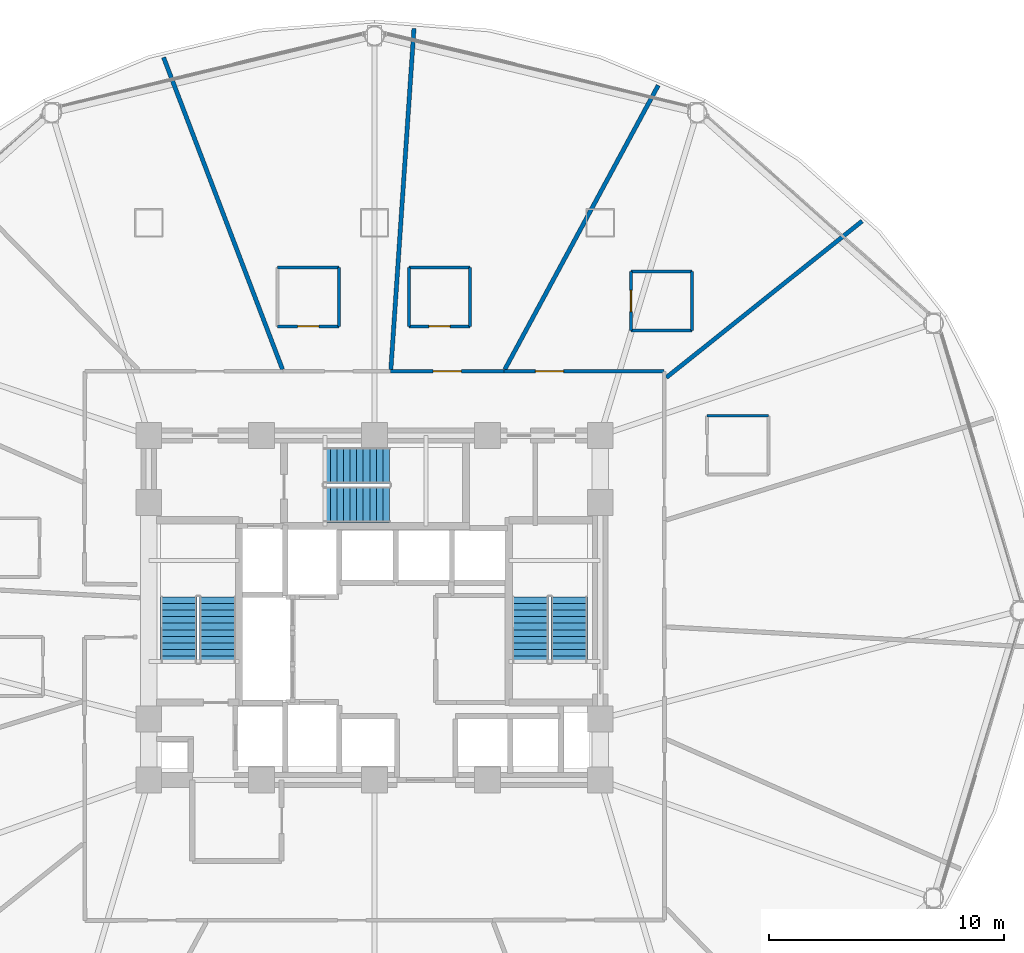
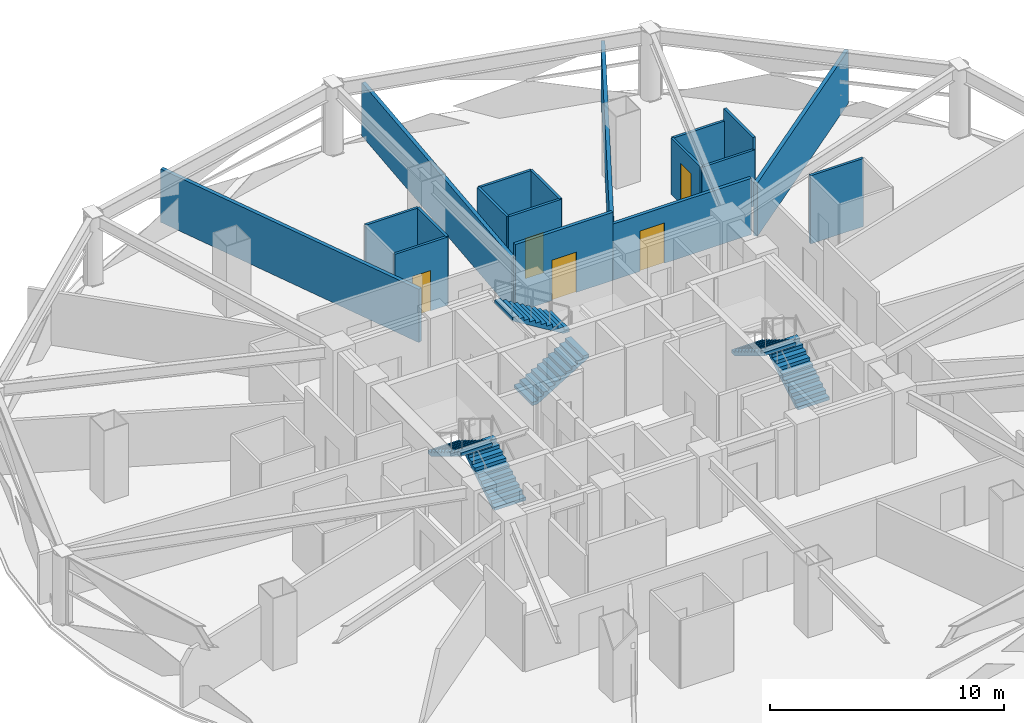
# One storey, part 24 of 29: 18 walls, 6 stair flights, 5 doors, 5 openings, 3 elements without a shape of their own.
"""IFC4 building model written with IfcOpenShell, lengths in metres."""

from ifc_helpers import new_model, si_unit, direction, frame, frame_2d, origin, place, context, subcontext, project, spatial, polyline, rectangle, outline, extrude, material, layer, layer_set, type_object, element, fill, aggregate, save


model = new_model("IFC4")

# Units and contexts
model_context = context("Model", 3, precision=1e-05, world=origin(), true_north=direction((0.0, 1.0)))
body_context = subcontext(model_context, "Body", "Model", "MODEL_VIEW")
ifc_project = project(units=[si_unit("LENGTHUNIT", "METRE"), si_unit("AREAUNIT", "SQUARE_METRE"), si_unit("VOLUMEUNIT", "CUBIC_METRE"), si_unit("PLANEANGLEUNIT", "RADIAN"), si_unit("MASSUNIT", "GRAM", prefix="KILO")], contexts=[model_context])

# Site, building, storey
site_placement = place(None, origin())
site = spatial("IfcSite", under=ifc_project, at=site_placement, CompositionType="ELEMENT")
building_placement = place(site_placement, origin())
building = spatial("IfcBuilding", under=site, at=building_placement, Name="Vantalir Tower", CompositionType="ELEMENT")
storey_placement = place(building_placement, frame((0.0, 0.0, 60.75)))
storey = spatial("IfcBuildingStorey", under=building, at=storey_placement, Name="L14", CompositionType="ELEMENT", Elevation=60.75)

# Walls
ifc_material_1 = material(Name="Moisture-resistant en-suite partition", Category="gypsum")
ifc_layer_1 = layer(ifc_material_1, 0.125)
ifc_layer_set_1 = layer_set([ifc_layer_1], Name="Moisture-resistant en-suite partition")
wall_type_1 = type_object("IfcWallType", Name="WL-BATH-125", PredefinedType="PARTITIONING", material=ifc_layer_set_1)
wall_1_placement = place(storey_placement, frame((45.64990234375, 33.29296875, 0.0), z_axis=(0.0, 0.0, 1.0), x_axis=(1.0, 0.0, 0.0)))
element("IfcWall", 1, at=wall_1_placement, inside=storey, type_object=wall_type_1, Name="L14 En-suite 01 North Wall", PredefinedType="PARTITIONING", context=body_context, shape_type="SweptSolid", body=[
    extrude(rectangle(XDim=2.60009765625, YDim=0.125, at=frame_2d((1.300048828125, 0.0))), origin(), (0.0, 0.0, 1.0), 3.550048828125),
])
for number, where, z_axis, x_axis, name in (
    (2, (42.406005859375, 36.926025390625, 0.0), (0.0, 0.0, 1.0), (1.0, 0.0, 0.0), "L14 En-suite 02 South Wall"),
    (3, (42.406005859375, 39.426025390625, 0.0), (0.0, 0.0, 1.0), (1.0, 0.0, 0.0), "L14 En-suite 02 North Wall"),
):
    element("IfcWall", number, at=place(storey_placement, frame(where, z_axis=z_axis, x_axis=x_axis)), inside=storey, type_object=wall_type_1, Name=name, PredefinedType="PARTITIONING", context=body_context, shape_type="SweptSolid", body=[
        extrude(rectangle(XDim=2.60009765625, YDim=0.125, at=frame_2d((1.300048828125, 0.0))), origin(), (0.0, 0.0, 1.0), 2.927978515625),
    ])

# Wall, opening, door
wall_2_placement = place(storey_placement, frame((42.406005859375, 36.926025390625, 0.0), z_axis=(0.0, 0.0, 1.0), x_axis=(0.0, 1.0, 0.0)))
wall_2 = element("IfcWall", 4, at=wall_2_placement, inside=storey, type_object=wall_type_1, Name="L14 En-suite 02 West Wall", PredefinedType="PARTITIONING", context=body_context, shape_type="SweptSolid", body=[
    extrude(rectangle(XDim=2.5, YDim=0.125, at=frame_2d((1.25, 0.0))), origin(), (0.0, 0.0, 1.0), 2.927978515625),
])
opening_1_placement = place(wall_2_placement, frame((0.800048828125, 0.0, 0.0)))
opening_1 = element("IfcOpeningElement", 5, at=opening_1_placement, cuts=wall_2, Name="Opening D-WC", PredefinedType="OPENING", context=body_context, shape_type="SweptSolid", body=[
    extrude(rectangle(XDim=0.89990234375, YDim=2.10009765625, at=frame_2d((0.449951171875, 1.050048828125))), frame((0.0, 0.072509765625, 0.0), z_axis=(0.0, -1.0, 0.0), x_axis=(1.0, 0.0, 0.0)), (0.0, 0.0, 1.0), 0.14501953125),
])
ifc_material_2 = material(Name="Moisture-resistant hardwood door", Category="wood")
door_type_1 = type_object("IfcDoorType", Name="DR-ENSUITE-900", OperationType="NOTDEFINED", PredefinedType="DOOR", material=ifc_material_2)
door_1_placement = place(opening_1_placement, frame((0.89990234375, 0.0, 0.0), z_axis=(0.0, 0.0, 1.0), x_axis=(-1.0, 0.0, 0.0)))
door_1 = element("IfcDoor", 6, at=door_1_placement, inside=storey, type_object=door_type_1, Name="L14 En-suite 02 Door", OperationType="SINGLE_SWING_LEFT", OverallHeight=2.10009765625, OverallWidth=0.89990234375, PredefinedType="DOOR", context=body_context, shape_type="SweptSolid", body=[
    extrude(rectangle(XDim=0.89990234375, YDim=2.10009765625, at=frame_2d((0.449951171875, 1.050048828125))), frame((0.0, 0.02490234375, 0.0), z_axis=(0.0, -1.0, 0.0), x_axis=(1.0, 0.0, 0.0)), (0.0, 0.0, 1.0), 0.050048828125),
])
fill(opening_1, door_1)

# Wall
wall_3_placement = place(storey_placement, frame((45.006103515625, 36.926025390625, 0.0), z_axis=(0.0, 0.0, 1.0), x_axis=(0.0, 1.0, 0.0)))
element("IfcWall", 7, at=wall_3_placement, inside=storey, type_object=wall_type_1, Name="L14 En-suite 02 East Wall", PredefinedType="PARTITIONING", context=body_context, shape_type="SweptSolid", body=[
    extrude(rectangle(XDim=2.5, YDim=0.125, at=frame_2d((1.25, 0.0))), origin(), (0.0, 0.0, 1.0), 3.550048828125),
])

# Wall, opening, door
wall_4_placement = place(storey_placement, frame((32.965087890625, 37.097900390625, 0.0), z_axis=(0.0, 0.0, 1.0), x_axis=(1.0, 0.0, 0.0)))
wall_4 = element("IfcWall", 8, at=wall_4_placement, inside=storey, type_object=wall_type_1, Name="L14 En-suite 03 South Wall", PredefinedType="PARTITIONING", context=body_context, shape_type="SweptSolid", body=[
    extrude(rectangle(XDim=2.599853515625, YDim=0.125, at=frame_2d((1.2998046875, 0.0))), origin(), (0.0, 0.0, 1.0), 3.550048828125),
])
opening_2_placement = place(wall_4_placement, frame((0.85009765625, 0.0, 0.0)))
opening_2 = element("IfcOpeningElement", 9, at=opening_2_placement, cuts=wall_4, Name="Opening D-WC", PredefinedType="OPENING", context=body_context, shape_type="SweptSolid", body=[
    extrude(rectangle(XDim=0.89990234375, YDim=2.10009765625, at=frame_2d((0.449951171875, 1.050048828125))), frame((0.0, 0.072509765625, 0.0), z_axis=(0.0, -1.0, 0.0), x_axis=(1.0, 0.0, 0.0)), (0.0, 0.0, 1.0), 0.14501953125),
])
door_2_placement = place(opening_2_placement, origin())
door_2 = element("IfcDoor", 10, at=door_2_placement, inside=storey, type_object=door_type_1, Name="L14 En-suite 03 Door", OperationType="SINGLE_SWING_RIGHT", OverallHeight=2.10009765625, OverallWidth=0.89990234375, PredefinedType="DOOR", context=body_context, shape_type="SweptSolid", body=[
    extrude(rectangle(XDim=0.89990234375, YDim=2.10009765625, at=frame_2d((0.449951171875, 1.050048828125))), frame((0.0, 0.02490234375, 0.0), z_axis=(0.0, -1.0, 0.0), x_axis=(1.0, 0.0, 0.0)), (0.0, 0.0, 1.0), 0.050048828125),
])
fill(opening_2, door_2)

# Walls
wall_5_placement = place(storey_placement, frame((32.965087890625, 39.597900390625, 0.0), z_axis=(0.0, 0.0, 1.0), x_axis=(1.0, 0.0, 0.0)))
element("IfcWall", 11, at=wall_5_placement, inside=storey, type_object=wall_type_1, Name="L14 En-suite 03 North Wall", PredefinedType="PARTITIONING", context=body_context, shape_type="SweptSolid", body=[
    extrude(rectangle(XDim=2.599853515625, YDim=0.125, at=frame_2d((1.2998046875, 0.0))), origin(), (0.0, 0.0, 1.0), 3.550048828125),
])
for number, where, z_axis, x_axis, name in (
    (12, (32.965087890625, 37.097900390625, 0.0), (0.0, 0.0, 1.0), (0.0, 1.0, 0.0), "L14 En-suite 03 West Wall"),
    (13, (35.56494140625, 37.097900390625, 0.0), (0.0, 0.0, 1.0), (0.0, 1.0, 0.0), "L14 En-suite 03 East Wall"),
):
    element("IfcWall", number, at=place(storey_placement, frame(where, z_axis=z_axis, x_axis=x_axis)), inside=storey, type_object=wall_type_1, Name=name, PredefinedType="PARTITIONING", context=body_context, shape_type="SweptSolid", body=[
        extrude(rectangle(XDim=2.5, YDim=0.125, at=frame_2d((1.25, 0.0))), origin(), (0.0, 0.0, 1.0), 3.550048828125),
    ])

# Wall, opening, door
wall_6_placement = place(storey_placement, frame((27.381103515625, 37.097900390625, 0.0), z_axis=(0.0, 0.0, 1.0), x_axis=(1.0, 0.0, 0.0)))
wall_6 = element("IfcWall", 14, at=wall_6_placement, inside=storey, type_object=wall_type_1, Name="L14 En-suite 04 South Wall", PredefinedType="PARTITIONING", context=body_context, shape_type="SweptSolid", body=[
    extrude(rectangle(XDim=2.599853515625, YDim=0.125, at=frame_2d((1.2998046875, 0.0))), origin(), (0.0, 0.0, 1.0), 3.550048828125),
])
opening_3_placement = place(wall_6_placement, frame((0.85009765625, 0.0, 0.0)))
opening_3 = element("IfcOpeningElement", 15, at=opening_3_placement, cuts=wall_6, Name="Opening D-WC", PredefinedType="OPENING", context=body_context, shape_type="SweptSolid", body=[
    extrude(rectangle(XDim=0.89990234375, YDim=2.10009765625, at=frame_2d((0.449951171875, 1.050048828125))), frame((0.0, 0.072509765625, 0.0), z_axis=(0.0, -1.0, 0.0), x_axis=(1.0, 0.0, 0.0)), (0.0, 0.0, 1.0), 0.14501953125),
])
door_3_placement = place(opening_3_placement, origin())
door_3 = element("IfcDoor", 16, at=door_3_placement, inside=storey, type_object=door_type_1, Name="L14 En-suite 04 Door", OperationType="SINGLE_SWING_LEFT", OverallHeight=2.10009765625, OverallWidth=0.89990234375, PredefinedType="DOOR", context=body_context, shape_type="SweptSolid", body=[
    extrude(rectangle(XDim=0.89990234375, YDim=2.10009765625, at=frame_2d((0.449951171875, 1.050048828125))), frame((0.0, 0.02490234375, 0.0), z_axis=(0.0, -1.0, 0.0), x_axis=(1.0, 0.0, 0.0)), (0.0, 0.0, 1.0), 0.050048828125),
])
fill(opening_3, door_3)

# Walls
wall_7_placement = place(storey_placement, frame((27.381103515625, 39.597900390625, 0.0), z_axis=(0.0, 0.0, 1.0), x_axis=(1.0, 0.0, 0.0)))
element("IfcWall", 17, at=wall_7_placement, inside=storey, type_object=wall_type_1, Name="L14 En-suite 04 North Wall", PredefinedType="PARTITIONING", context=body_context, shape_type="SweptSolid", body=[
    extrude(rectangle(XDim=2.599853515625, YDim=0.125, at=frame_2d((1.2998046875, 0.0))), origin(), (0.0, 0.0, 1.0), 3.550048828125),
])
wall_8_placement = place(storey_placement, frame((29.98095703125, 37.097900390625, 0.0), z_axis=(0.0, 0.0, 1.0), x_axis=(0.0, 1.0, 0.0)))
element("IfcWall", 18, at=wall_8_placement, inside=storey, type_object=wall_type_1, Name="L14 En-suite 04 East Wall", PredefinedType="PARTITIONING", context=body_context, shape_type="SweptSolid", body=[
    extrude(rectangle(XDim=2.5, YDim=0.125, at=frame_2d((1.25, 0.0))), origin(), (0.0, 0.0, 1.0), 3.550048828125),
])

# Wall, opening, door
ifc_material_3 = material(Name="Fire-rated hotel corridor acoustic partition", Category="gypsum")
ifc_layer_2 = layer(ifc_material_3, 0.159912109375)
ifc_layer_set_2 = layer_set([ifc_layer_2], Name="Fire-rated hotel corridor acoustic partition")
wall_type_2 = type_object("IfcWallType", Name="WL-CORR-160", PredefinedType="PARTITIONING", material=ifc_layer_set_2)
wall_9_placement = place(storey_placement, frame((32.18994140625, 35.18505859375, 0.0), z_axis=(0.0, 0.0, 1.0), x_axis=(1.0, 0.0, 0.0)))
wall_9 = element("IfcWall", 19, at=wall_9_placement, inside=storey, type_object=wall_type_2, Name="L14 Corridor Partition 07", PredefinedType="PARTITIONING", context=body_context, shape_type="SweptSolid", body=[
    extrude(rectangle(XDim=4.81005859375, YDim=0.159912109375, at=frame_2d((2.405029296875, 0.0))), origin(), (0.0, 0.0, 1.0), 3.550048828125),
])
opening_4_placement = place(wall_9_placement, frame((1.804931640625, 0.0, 0.0)))
opening_4 = element("IfcOpeningElement", 20, at=opening_4_placement, cuts=wall_9, Name="Opening D-STE", PredefinedType="OPENING", context=body_context, shape_type="SweptSolid", body=[
    extrude(rectangle(XDim=1.199951171875, YDim=2.10009765625, at=frame_2d((0.60009765625, 1.050048828125))), frame((0.0, 0.08984375, 0.0), z_axis=(0.0, -1.0, 0.0), x_axis=(1.0, 0.0, 0.0)), (0.0, 0.0, 1.0), 0.179931640625),
])
ifc_material_4 = material(Name="Solid-core teak veneer suite entrance door", Category="wood")
door_type_2 = type_object("IfcDoorType", Name="DR-SUITE-ENTRY-1200", OperationType="NOTDEFINED", PredefinedType="DOOR", material=ifc_material_4)
door_4_placement = place(opening_4_placement, origin())
door_4 = element("IfcDoor", 21, at=door_4_placement, inside=storey, type_object=door_type_2, Name="L14 Executive Club Hotel Suite 03 Door", OperationType="SINGLE_SWING_RIGHT", OverallHeight=2.10009765625, OverallWidth=1.199951171875, PredefinedType="DOOR", context=body_context, shape_type="SweptSolid", body=[
    extrude(rectangle(XDim=1.199951171875, YDim=2.10009765625, at=frame_2d((0.60009765625, 1.050048828125))), frame((0.0, 0.02490234375, 0.0), z_axis=(0.0, -1.0, 0.0), x_axis=(1.0, 0.0, 0.0)), (0.0, 0.0, 1.0), 0.050048828125),
])
fill(opening_4, door_4)

wall_10_placement = place(storey_placement, frame((37.0, 35.18505859375, 0.0), z_axis=(0.0, 0.0, 1.0), x_axis=(1.0, 0.0, 0.0)))
wall_10 = element("IfcWall", 22, at=wall_10_placement, inside=storey, type_object=wall_type_2, Name="L14 Corridor Partition 08", PredefinedType="PARTITIONING", context=body_context, shape_type="SweptSolid", body=[
    extrude(rectangle(XDim=6.819091796875, YDim=0.159912109375, at=frame_2d((3.40966796875, 0.0))), origin(), (0.0, 0.0, 1.0), 2.927978515625),
])
opening_5_placement = place(wall_10_placement, frame((1.337890625, 0.0, 0.0)))
opening_5 = element("IfcOpeningElement", 23, at=opening_5_placement, cuts=wall_10, Name="Opening D-STE", PredefinedType="OPENING", context=body_context, shape_type="SweptSolid", body=[
    extrude(rectangle(XDim=1.199951171875, YDim=2.10009765625, at=frame_2d((0.60009765625, 1.050048828125))), frame((0.0, 0.08984375, 0.0), z_axis=(0.0, -1.0, 0.0), x_axis=(1.0, 0.0, 0.0)), (0.0, 0.0, 1.0), 0.179931640625),
])
door_5_placement = place(opening_5_placement, origin())
door_5 = element("IfcDoor", 24, at=door_5_placement, inside=storey, type_object=door_type_2, Name="L14 Executive Club Hotel Suite 02 Door", OperationType="SINGLE_SWING_LEFT", OverallHeight=2.10009765625, OverallWidth=1.199951171875, PredefinedType="DOOR", context=body_context, shape_type="SweptSolid", body=[
    extrude(rectangle(XDim=1.199951171875, YDim=2.10009765625, at=frame_2d((0.60009765625, 1.050048828125))), frame((0.0, 0.02490234375, 0.0), z_axis=(0.0, -1.0, 0.0), x_axis=(1.0, 0.0, 0.0)), (0.0, 0.0, 1.0), 0.050048828125),
])
fill(opening_5, door_5)

# Walls
ifc_material_5 = material(Name="Twin-stud acoustic fire-rated gypsum partition", Category="gypsum")
ifc_layer_3 = layer(ifc_material_5, 0.179931640625)
ifc_layer_set_3 = layer_set([ifc_layer_3], Name="Twin-stud acoustic fire-rated gypsum partition")
wall_type_3 = type_object("IfcWallType", Name="WL-GUEST-180", PredefinedType="PARTITIONING", material=ifc_layer_set_3)
wall_11_placement = place(storey_placement, frame((43.9150390625, 34.9208984375, 0.0), z_axis=(0.0, 0.0, 1.0), x_axis=(0.781201807071, 0.624278572938, 0.0)))
element("IfcWall", 25, at=wall_11_placement, inside=storey, type_object=wall_type_3, Name="L14 Radial Suite Partition 02", PredefinedType="PARTITIONING", context=body_context, shape_type="SweptSolid", body=[
    extrude(rectangle(XDim=10.654052734375, YDim=0.179931640625, at=frame_2d((5.3271484375, 0.0))), origin(), (0.0, 0.0, 1.0), 2.77490234375),
])
wall_12_placement = place(storey_placement, frame((37.04296875, 35.264892578125, 0.0), z_axis=(0.0, 0.0, 1.0), x_axis=(0.475167084094, 0.879895585961, 0.0)))
element("IfcWall", 26, at=wall_12_placement, inside=storey, type_object=wall_type_3, Name="L14 Radial Suite Partition 03", PredefinedType="PARTITIONING", context=body_context, shape_type="SweptSolid", body=[
    extrude(rectangle(XDim=13.732421875, YDim=0.179931640625, at=frame_2d((6.8662109375, 0.0))), origin(), (0.0, 0.0, 1.0), 2.77490234375),
])
wall_13_placement = place(storey_placement, frame((32.195068359375, 35.264892578125, 0.0), z_axis=(0.0, 0.0, 1.0), x_axis=(0.06760790372, 0.997711968132, 0.0)))
element("IfcWall", 27, at=wall_13_placement, inside=storey, type_object=wall_type_3, Name="L14 Radial Suite Partition 04", PredefinedType="PARTITIONING", context=body_context, shape_type="SweptSolid", body=[
    extrude(rectangle(XDim=14.538330078125, YDim=0.179931640625, at=frame_2d((7.26904296875, 0.0))), origin(), (0.0, 0.0, 1.0), 2.77490234375),
])
wall_14_placement = place(storey_placement, frame((27.5869140625, 35.264892578125, 0.0), z_axis=(0.0, 0.0, 1.0), x_axis=(-0.356216214418, 0.93440355767, 0.0)))
element("IfcWall", 28, at=wall_14_placement, inside=storey, type_object=wall_type_3, Name="L14 Radial Suite Partition 05", PredefinedType="PARTITIONING", context=body_context, shape_type="SweptSolid", body=[
    extrude(rectangle(XDim=14.20166015625, YDim=0.179931640625, at=frame_2d((7.100830078125, 0.0))), origin(), (0.0, 0.0, 1.0), 2.77490234375),
])

# Stair, stair flights
ifc_material_6 = material(Name="Concrete C40/50", Category="concrete")
stair_type = type_object("IfcStairType", Name="STR-CORE-1450", PredefinedType="HALF_TURN_STAIR", material=ifc_material_6)
stair_1_placement = place(storey_placement, origin())
stair_1 = element("IfcStair", 29, at=stair_1_placement, inside=storey, type_object=stair_type, Name="L14 Core Exit Stair 1", PredefinedType="HALF_TURN_STAIR")
stair_flight_type = type_object("IfcStairFlightType", Name="FLT-CORE-1450", PredefinedType="STRAIGHT", material=ifc_material_6)
stair_flight_1_placement = place(storey_placement, frame((24.830078125, 22.7900390625, 0.0), z_axis=(0.0, 0.0, 1.0), x_axis=(0.0, 1.0, 0.0)))
stair_flight_1 = element("IfcStairFlight", 30, at=stair_flight_1_placement, type_object=stair_flight_type, Name="ST1 flight 1", NumberOfRisers=11, NumberOfTreads=10, PredefinedType="STRAIGHT", RiserHeight=0.170454545, TreadLength=0.28, context=body_context, shape_type="SweptSolid", body=[
    extrude(outline(polyline([(0.0, 0.0), (0.0, 0.17041015625), (0.280029296875, 0.17041015625), (0.280029296875, 0.3408203125), (0.56005859375, 0.3408203125), (0.56005859375, 0.511474609375), (0.840087890625, 0.511474609375), (0.840087890625, 0.681884765625), (1.1201171875, 0.681884765625), (1.1201171875, 0.852294921875), (1.39990234375, 0.852294921875), (1.39990234375, 1.022705078125), (1.679931640625, 1.022705078125), (1.679931640625, 1.193115234375), (1.9599609375, 1.193115234375), (1.9599609375, 1.363525390625), (2.239990234375, 1.363525390625), (2.239990234375, 1.5341796875), (2.52001953125, 1.5341796875), (2.52001953125, 1.70458984375), (2.800048828125, 1.70458984375), (2.800048828125, 1.875), (2.800048828125, 1.529052734375), (0.288330078125, 0.0), (0.0, 0.0)])), frame((0.0, 0.77001953125, 0.0), z_axis=(0.0, -1.0, 0.0), x_axis=(1.0, 0.0, 0.0)), (0.0, 0.0, 1.0), 1.5400390625),
])
stair_flight_2_placement = place(storey_placement, frame((23.169921875, 25.590087890625, 1.875), z_axis=(0.0, 0.0, 1.0), x_axis=(0.0, -1.0, 0.0)))
stair_flight_2 = element("IfcStairFlight", 31, at=stair_flight_2_placement, type_object=stair_flight_type, Name="ST1 flight 2", NumberOfRisers=11, NumberOfTreads=10, PredefinedType="STRAIGHT", RiserHeight=0.170454545, TreadLength=0.28, context=body_context, shape_type="SweptSolid", body=[
    extrude(outline(polyline([(0.0, 0.0), (0.0, 0.17041015625), (0.280029296875, 0.17041015625), (0.280029296875, 0.3408203125), (0.56005859375, 0.3408203125), (0.56005859375, 0.511474609375), (0.840087890625, 0.511474609375), (0.840087890625, 0.681884765625), (1.1201171875, 0.681884765625), (1.1201171875, 0.852294921875), (1.39990234375, 0.852294921875), (1.39990234375, 1.022705078125), (1.679931640625, 1.022705078125), (1.679931640625, 1.193115234375), (1.9599609375, 1.193115234375), (1.9599609375, 1.363525390625), (2.239990234375, 1.363525390625), (2.239990234375, 1.5341796875), (2.52001953125, 1.5341796875), (2.52001953125, 1.70458984375), (2.800048828125, 1.70458984375), (2.800048828125, 1.875), (2.800048828125, 1.529052734375), (0.288330078125, 0.0), (0.0, 0.0)])), frame((0.0, 0.77001953125, 0.0), z_axis=(0.0, -1.0, 0.0), x_axis=(1.0, 0.0, 0.0)), (0.0, 0.0, 1.0), 1.5400390625),
])
aggregate(stair_1, [stair_flight_1, stair_flight_2])

stair_2_placement = place(storey_placement, origin())
stair_2 = element("IfcStair", 32, at=stair_2_placement, inside=storey, type_object=stair_type, Name="L14 Core Exit Stair 2", PredefinedType="HALF_TURN_STAIR")
stair_flight_3_placement = place(storey_placement, frame((39.780029296875, 22.7900390625, 0.0), z_axis=(0.0, 0.0, 1.0), x_axis=(0.0, 1.0, 0.0)))
stair_flight_3 = element("IfcStairFlight", 33, at=stair_flight_3_placement, type_object=stair_flight_type, Name="ST2 flight 1", NumberOfRisers=11, NumberOfTreads=10, PredefinedType="STRAIGHT", RiserHeight=0.170454545, TreadLength=0.28, context=body_context, shape_type="SweptSolid", body=[
    extrude(outline(polyline([(0.0, 0.0), (0.0, 0.17041015625), (0.280029296875, 0.17041015625), (0.280029296875, 0.3408203125), (0.56005859375, 0.3408203125), (0.56005859375, 0.511474609375), (0.840087890625, 0.511474609375), (0.840087890625, 0.681884765625), (1.1201171875, 0.681884765625), (1.1201171875, 0.852294921875), (1.39990234375, 0.852294921875), (1.39990234375, 1.022705078125), (1.679931640625, 1.022705078125), (1.679931640625, 1.193115234375), (1.9599609375, 1.193115234375), (1.9599609375, 1.363525390625), (2.239990234375, 1.363525390625), (2.239990234375, 1.5341796875), (2.52001953125, 1.5341796875), (2.52001953125, 1.70458984375), (2.800048828125, 1.70458984375), (2.800048828125, 1.875), (2.800048828125, 1.529052734375), (0.288330078125, 0.0), (0.0, 0.0)])), frame((0.0, 0.77001953125, 0.0), z_axis=(0.0, -1.0, 0.0), x_axis=(1.0, 0.0, 0.0)), (0.0, 0.0, 1.0), 1.5400390625),
])
stair_flight_4_placement = place(storey_placement, frame((38.1201171875, 25.590087890625, 1.875), z_axis=(0.0, 0.0, 1.0), x_axis=(0.0, -1.0, 0.0)))
stair_flight_4 = element("IfcStairFlight", 34, at=stair_flight_4_placement, type_object=stair_flight_type, Name="ST2 flight 2", NumberOfRisers=11, NumberOfTreads=10, PredefinedType="STRAIGHT", RiserHeight=0.170454545, TreadLength=0.28, context=body_context, shape_type="SweptSolid", body=[
    extrude(outline(polyline([(0.0, 0.0), (0.0, 0.17041015625), (0.280029296875, 0.17041015625), (0.280029296875, 0.3408203125), (0.56005859375, 0.3408203125), (0.56005859375, 0.511474609375), (0.840087890625, 0.511474609375), (0.840087890625, 0.681884765625), (1.1201171875, 0.681884765625), (1.1201171875, 0.852294921875), (1.39990234375, 0.852294921875), (1.39990234375, 1.022705078125), (1.679931640625, 1.022705078125), (1.679931640625, 1.193115234375), (1.9599609375, 1.193115234375), (1.9599609375, 1.363525390625), (2.239990234375, 1.363525390625), (2.239990234375, 1.5341796875), (2.52001953125, 1.5341796875), (2.52001953125, 1.70458984375), (2.800048828125, 1.70458984375), (2.800048828125, 1.875), (2.800048828125, 1.529052734375), (0.288330078125, 0.0), (0.0, 0.0)])), frame((0.0, 0.77001953125, 0.0), z_axis=(0.0, -1.0, 0.0), x_axis=(1.0, 0.0, 0.0)), (0.0, 0.0, 1.0), 1.5400390625),
])
aggregate(stair_2, [stair_flight_3, stair_flight_4])

stair_3_placement = place(storey_placement, origin())
stair_3 = element("IfcStair", 35, at=stair_3_placement, inside=storey, type_object=stair_type, Name="L14 Core Exit Stair 3", PredefinedType="HALF_TURN_STAIR")
stair_flight_5_placement = place(storey_placement, frame((29.340087890625, 29.52001953125, 0.0), z_axis=(0.0, 0.0, 1.0), x_axis=(1.0, 0.0, 0.0)))
stair_flight_5 = element("IfcStairFlight", 36, at=stair_flight_5_placement, type_object=stair_flight_type, Name="ST3 flight 1", NumberOfRisers=11, NumberOfTreads=10, PredefinedType="STRAIGHT", RiserHeight=0.170454545, TreadLength=0.28, context=body_context, shape_type="SweptSolid", body=[
    extrude(outline(polyline([(0.0, 0.0), (0.0, 0.17041015625), (0.280029296875, 0.17041015625), (0.280029296875, 0.3408203125), (0.56005859375, 0.3408203125), (0.56005859375, 0.511474609375), (0.840087890625, 0.511474609375), (0.840087890625, 0.681884765625), (1.1201171875, 0.681884765625), (1.1201171875, 0.852294921875), (1.39990234375, 0.852294921875), (1.39990234375, 1.022705078125), (1.679931640625, 1.022705078125), (1.679931640625, 1.193115234375), (1.9599609375, 1.193115234375), (1.9599609375, 1.363525390625), (2.239990234375, 1.363525390625), (2.239990234375, 1.5341796875), (2.52001953125, 1.5341796875), (2.52001953125, 1.70458984375), (2.800048828125, 1.70458984375), (2.800048828125, 1.875), (2.800048828125, 1.529052734375), (0.288330078125, 0.0), (0.0, 0.0)])), frame((0.0, 0.77001953125, 0.0), z_axis=(0.0, -1.0, 0.0), x_axis=(1.0, 0.0, 0.0)), (0.0, 0.0, 1.0), 1.5400390625),
])
stair_flight_6_placement = place(storey_placement, frame((32.139892578125, 31.179931640625, 1.875), z_axis=(0.0, 0.0, 1.0), x_axis=(-1.0, 0.0, 0.0)))
stair_flight_6 = element("IfcStairFlight", 37, at=stair_flight_6_placement, type_object=stair_flight_type, Name="ST3 flight 2", NumberOfRisers=11, NumberOfTreads=10, PredefinedType="STRAIGHT", RiserHeight=0.170454545, TreadLength=0.28, context=body_context, shape_type="SweptSolid", body=[
    extrude(outline(polyline([(0.0, 0.0), (0.0, 0.17041015625), (0.280029296875, 0.17041015625), (0.280029296875, 0.3408203125), (0.56005859375, 0.3408203125), (0.56005859375, 0.511474609375), (0.840087890625, 0.511474609375), (0.840087890625, 0.681884765625), (1.1201171875, 0.681884765625), (1.1201171875, 0.852294921875), (1.39990234375, 0.852294921875), (1.39990234375, 1.022705078125), (1.679931640625, 1.022705078125), (1.679931640625, 1.193115234375), (1.9599609375, 1.193115234375), (1.9599609375, 1.363525390625), (2.239990234375, 1.363525390625), (2.239990234375, 1.5341796875), (2.52001953125, 1.5341796875), (2.52001953125, 1.70458984375), (2.800048828125, 1.70458984375), (2.800048828125, 1.875), (2.800048828125, 1.529052734375), (0.288330078125, 0.0), (0.0, 0.0)])), frame((0.0, 0.77001953125, 0.0), z_axis=(0.0, -1.0, 0.0), x_axis=(1.0, 0.0, 0.0)), (0.0, 0.0, 1.0), 1.5400390625),
])
aggregate(stair_3, [stair_flight_5, stair_flight_6])

save(model, "model.ifc")
